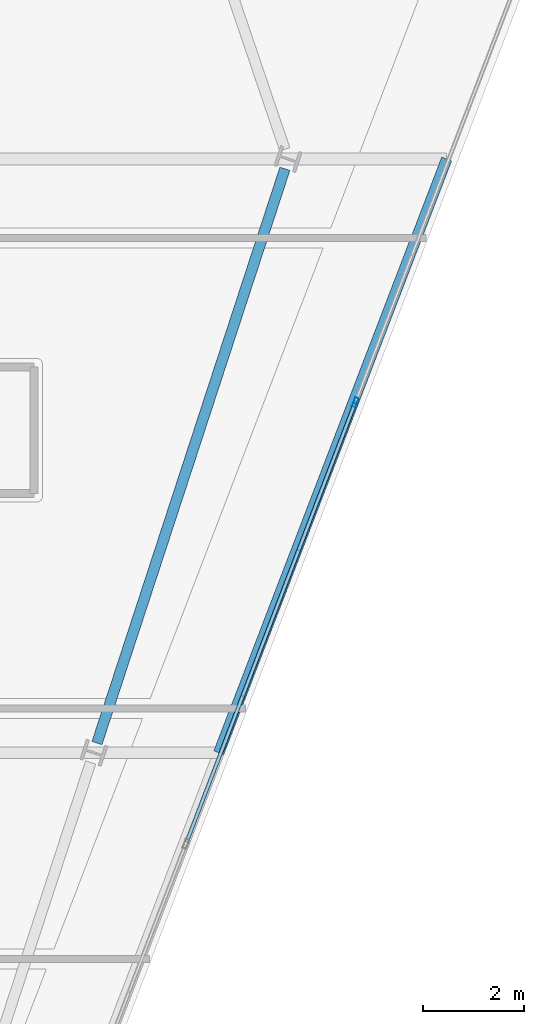
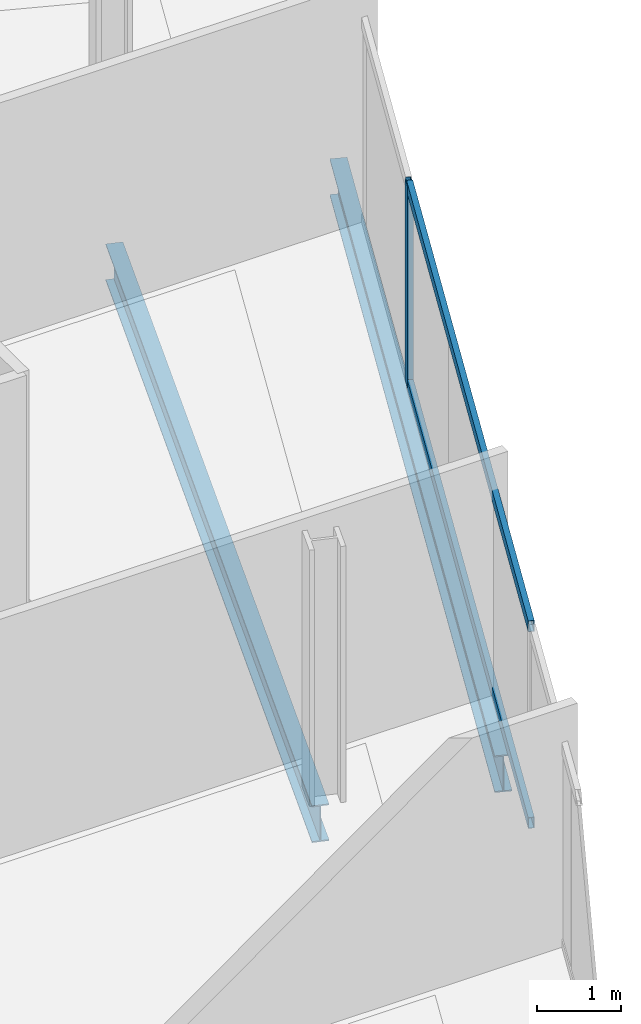
# One storey, part 11 of 27: 3 members, 2 beams, 1 element without a shape of its own.
"""IFC4 building model written with IfcOpenShell, lengths in metres."""

from ifc_helpers import new_model, si_unit, direction, frame, origin, origin_2d, place, context, subcontext, project, spatial, hollow_rectangle, i_section, extrude, material, material_profile, profile_set, type_object, element, aggregate, save


model = new_model("IFC4")

# Units and contexts
model_context = context("Model", 3, precision=1e-05, world=origin(), true_north=direction((0.0, 1.0)))
body_context = subcontext(model_context, "Body", "Model", "MODEL_VIEW")
ifc_project = project(units=[si_unit("LENGTHUNIT", "METRE"), si_unit("AREAUNIT", "SQUARE_METRE"), si_unit("VOLUMEUNIT", "CUBIC_METRE"), si_unit("PLANEANGLEUNIT", "RADIAN"), si_unit("MASSUNIT", "GRAM", prefix="KILO")], contexts=[model_context])

# Site, building, storey
site_placement = place(None, origin())
site = spatial("IfcSite", under=ifc_project, at=site_placement, CompositionType="ELEMENT")
building_placement = place(site_placement, origin())
building = spatial("IfcBuilding", under=site, at=building_placement, Name="Haldenkirk Collegiate Tower", CompositionType="ELEMENT")
storey_placement = place(building_placement, frame((0.0, 0.0, 259.949951171875)))
storey = spatial("IfcBuildingStorey", under=building, at=storey_placement, Name="L65", CompositionType="ELEMENT", Elevation=259.949951171875)

# Beams
ifc_material_1 = material(Name="Steel ASTM A992 Grade 50", Category="steel")
ifc_material_profile_1 = material_profile(ifc_material_1, i_section(OverallWidth=0.2099609375, OverallDepth=0.537109375, WebThickness=0.010986328125, FlangeThickness=0.017333984375, at=origin_2d()), Name="W21X68")
ifc_profile_set_1 = profile_set([ifc_material_profile_1], Name="Steel ASTM A992 Grade 50")
beam_type = type_object("IfcBeamType", Name="BM-SPANDREL-W21X68", PredefinedType="SPANDREL", material=ifc_profile_set_1)
beam_1_placement = place(storey_placement, frame((55.54638671875, 19.81689453125, -0.538330078125), z_axis=(0.311010188249, 0.950406577631, 0.0), x_axis=(-0.950406577631, 0.311010188249, 0.0)))
element("IfcBeam", 1, at=beam_1_placement, inside=storey, type_object=beam_type, Name="L65 perimeter spandrel beam 03", PredefinedType="SPANDREL", context=body_context, shape_type="SweptSolid", body=[
    extrude(i_section(OverallWidth=0.2099609375, OverallDepth=0.537109375, WebThickness=0.010986328125, FlangeThickness=0.017333984375, at=origin_2d()), origin(), (0.0, 0.0, 1.0), 11.94287109375),
])
beam_2_placement = place(storey_placement, frame((57.953369140625, 19.624267578125, -0.538330078125), z_axis=(0.358362123843, 0.933582662754, 0.0), x_axis=(-0.933582662754, 0.358362123843, 0.0)))
element("IfcBeam", 2, at=beam_2_placement, inside=storey, type_object=beam_type, Name="L65 outer facade edge beam 1B", PredefinedType="SPANDREL", context=body_context, shape_type="SweptSolid", body=[
    extrude(i_section(OverallWidth=0.2099609375, OverallDepth=0.537109375, WebThickness=0.010986328125, FlangeThickness=0.017333984375, at=origin_2d()), origin(), (0.0, 0.0, 1.0), 12.57080078125),
])

# Curtain wall, members
ifc_material_2 = material(Name="Anodised architectural bronze aluminium", Category="aluminium")
curtain_wall_type = type_object("IfcCurtainWallType", Name="CW-SYS2-CONCAVE", PredefinedType="USERDEFINED", material=ifc_material_2)
curtain_wall_placement = place(storey_placement, origin())
curtain_wall = element("IfcCurtainWall", 3, at=curtain_wall_placement, inside=storey, type_object=curtain_wall_type, Name="L65 South concave recessed bronze-anodised curtain wall", ObjectType="UNITISED CURTAIN WALL", PredefinedType="USERDEFINED")
ifc_material_profile_2 = material_profile(ifc_material_2, hollow_rectangle(XDim=0.074951171875, YDim=0.18994140625, WallThickness=0.0048828125, at=origin_2d()), Name="CW-MUL-02")
ifc_profile_set_2 = profile_set([ifc_material_profile_2], Name="Anodised architectural bronze aluminium")
member_type_1 = type_object("IfcMemberType", Name="CW-MUL-02", PredefinedType="MULLION", material=ifc_profile_set_2)
member_1_placement = place(storey_placement, frame((60.655029296875, 26.551025390625, 0.0), z_axis=(0.0, 0.0, 1.0), x_axis=(0.933579158551, -0.358371252641, 0.0)))
member_1 = element("IfcMember", 4, at=member_1_placement, type_object=member_type_1, Name="CW-02 mullion 2", PredefinedType="MULLION", context=body_context, shape_type="SweptSolid", body=[
    extrude(hollow_rectangle(XDim=0.074951171875, YDim=0.18994140625, WallThickness=0.0048828125, at=origin_2d()), origin(), (0.0, 0.0, 1.0), 2.93798828125),
])
ifc_material_profile_3 = material_profile(ifc_material_2, hollow_rectangle(XDim=0.074951171875, YDim=0.159912109375, WallThickness=0.0048828125, at=origin_2d()), Name="CW-TRN-02")
ifc_profile_set_3 = profile_set([ifc_material_profile_3], Name="Anodised architectural bronze aluminium")
member_type_2 = type_object("IfcMemberType", Name="CW-TRN-02", PredefinedType="USERDEFINED", material=ifc_profile_set_3)
member_2_placement = place(storey_placement, frame((60.6416015625, 26.51611328125, 0.03759765625), z_axis=(-0.358356347005, -0.933584880213, 0.0), x_axis=(0.933584880213, -0.358356347005, 0.0)))
member_2 = element("IfcMember", 5, at=member_2_placement, type_object=member_type_2, Name="CW-02 transom 2.1", ObjectType="TRANSOM", PredefinedType="USERDEFINED", context=body_context, shape_type="SweptSolid", body=[
    extrude(hollow_rectangle(XDim=0.074951171875, YDim=0.159912109375, WallThickness=0.0048828125, at=origin_2d()), origin(), (0.0, 0.0, 1.0), 9.27490234375),
])
member_3_placement = place(storey_placement, frame((60.6416015625, 26.51611328125, 2.900634765625), z_axis=(-0.358356347005, -0.933584880213, 0.0), x_axis=(0.933584880213, -0.358356347005, 0.0)))
member_3 = element("IfcMember", 6, at=member_3_placement, type_object=member_type_2, Name="CW-02 transom 2.2", ObjectType="TRANSOM", PredefinedType="USERDEFINED", context=body_context, shape_type="SweptSolid", body=[
    extrude(hollow_rectangle(XDim=0.074951171875, YDim=0.159912109375, WallThickness=0.0048828125, at=origin_2d()), origin(), (0.0, 0.0, 1.0), 9.27490234375),
])
aggregate(curtain_wall, [member_1, member_2, member_3])

save(model, "model.ifc")
